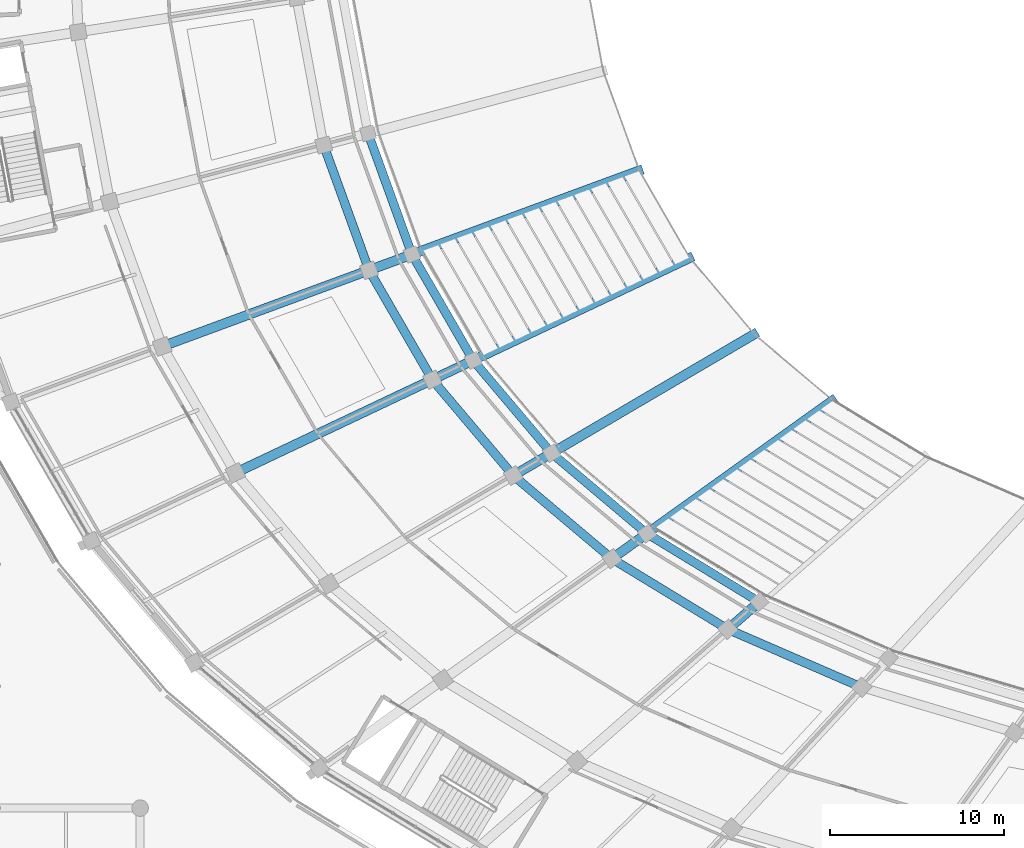
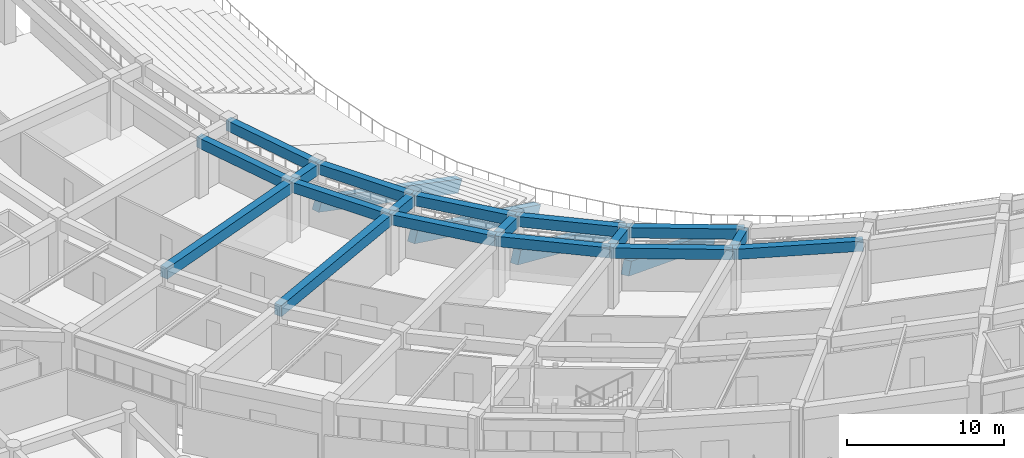
# One storey, part 20 of 152: 22 beams.
"""IFC4 building model written with IfcOpenShell, lengths in metres."""

from ifc_helpers import new_model, si_unit, direction, frame, origin, origin_2d, place, context, subcontext, project, spatial, rectangle, extrude, material, material_profile, profile_set, type_object, element, save


model = new_model("IFC4")

# Units and contexts
model_context = context("Model", 3, precision=1e-05, world=origin(), true_north=direction((0.0, 1.0)))
body_context = subcontext(model_context, "Body", "Model", "MODEL_VIEW")
ifc_project = project(units=[si_unit("LENGTHUNIT", "METRE"), si_unit("AREAUNIT", "SQUARE_METRE"), si_unit("VOLUMEUNIT", "CUBIC_METRE"), si_unit("PLANEANGLEUNIT", "RADIAN"), si_unit("MASSUNIT", "GRAM", prefix="KILO")], contexts=[model_context])

# Site, building, storey
site_placement = place(None, origin())
site = spatial("IfcSite", under=ifc_project, at=site_placement, CompositionType="ELEMENT")
building_placement = place(site_placement, origin())
building = spatial("IfcBuilding", under=site, at=building_placement, Name="Mphavela Belvedere Stadium", CompositionType="ELEMENT")
storey_placement = place(building_placement, frame((0.0, 0.0, 5.39990234375)))
storey = spatial("IfcBuildingStorey", under=building, at=storey_placement, Name="L01", CompositionType="ELEMENT", Elevation=5.39990234375)

# Beams
ifc_material_1 = material(Name="Precast concrete C45/55", Category="concrete")
ifc_material_profile_1 = material_profile(ifc_material_1, rectangle(XDim=0.550048828125, YDim=1.0, at=origin_2d()), Name="PC 550x1000")
ifc_profile_set_1 = profile_set([ifc_material_profile_1], Name="Precast concrete C45/55")
beam_type_1 = type_object("IfcBeamType", Name="BM-RAKER-LOWER", PredefinedType="USERDEFINED", material=ifc_profile_set_1)
beam_1_placement = place(storey_placement, frame((54.236572265625, 64.614501953125, -4.75), z_axis=(-0.861755277164, -0.317474379668, 0.395711840276), x_axis=(0.345691546471, -0.938348205464, 0.0)))
element("IfcBeam", 1, at=beam_1_placement, inside=storey, type_object=beam_type_1, Name="Lower tier precast raker beam RK-L-28", ObjectType="RAKER BEAM", PredefinedType="USERDEFINED", context=body_context, shape_type="SweptSolid", body=[
    extrude(rectangle(XDim=0.550048828125, YDim=1.0, at=origin_2d()), origin(), (0.0, 0.0, 1.0), 15.16259765625),
])
beam_2_placement = place(storey_placement, frame((57.130859375, 59.608642578125, -4.75), z_axis=(-0.828590512448, -0.392202760512, 0.399518156443), x_axis=(0.427830199745, -0.903859126295, 0.0)))
element("IfcBeam", 2, at=beam_2_placement, inside=storey, type_object=beam_type_1, Name="Lower tier precast raker beam RK-L-29", ObjectType="RAKER BEAM", PredefinedType="USERDEFINED", context=body_context, shape_type="SweptSolid", body=[
    extrude(rectangle(XDim=0.550048828125, YDim=1.0, at=origin_2d()), origin(), (0.0, 0.0, 1.0), 15.01806640625),
])
beam_3_placement = place(storey_placement, frame((60.8349609375, 55.22216796875, -4.75), z_axis=(-0.788215016964, -0.462441064912, 0.406036141882), x_axis=(0.506032185793, -0.862514595205, 0.0)))
element("IfcBeam", 3, at=beam_3_placement, inside=storey, type_object=beam_type_1, Name="Lower tier precast raker beam RK-L-30", ObjectType="RAKER BEAM", PredefinedType="USERDEFINED", context=body_context, shape_type="SweptSolid", body=[
    extrude(rectangle(XDim=0.550048828125, YDim=1.0, at=origin_2d()), origin(), (0.0, 0.0, 1.0), 14.777099609375),
])
beam_4_placement = place(storey_placement, frame((65.341064453125, 51.419677734375, -4.75), z_axis=(-0.739407193346, -0.529785363915, 0.415456941944), x_axis=(0.582429509779, -0.812881212809, 0.0)))
element("IfcBeam", 4, at=beam_4_placement, inside=storey, type_object=beam_type_1, Name="Lower tier precast raker beam RK-L-31", ObjectType="RAKER BEAM", PredefinedType="USERDEFINED", context=body_context, shape_type="SweptSolid", body=[
    extrude(rectangle(XDim=0.550048828125, YDim=1.0, at=origin_2d()), origin(), (0.0, 0.0, 1.0), 14.44189453125),
])
ifc_material_2 = material(Name="Concrete C40/50", Category="concrete")
ifc_material_profile_2 = material_profile(ifc_material_2, rectangle(XDim=0.5, YDim=0.800048828125, at=origin_2d()), Name="RC 500x800")
ifc_profile_set_2 = profile_set([ifc_material_profile_2], Name="Concrete C40/50")
beam_type_2 = type_object("IfcBeamType", Name="BM-RC500x800", PredefinedType="BEAM", material=ifc_profile_set_2)
beam_5_placement = place(storey_placement, frame((38.648193359375, 66.75244140625, 4.150146484375), z_axis=(0.341037858277, -0.940049562109, 0.0), x_axis=(0.940049562109, 0.341037858277, 0.0)))
element("IfcBeam", 5, at=beam_5_placement, inside=storey, type_object=beam_type_2, Name="Circumferential girder L01 R1-27", PredefinedType="BEAM", context=body_context, shape_type="SweptSolid", body=[
    extrude(rectangle(XDim=0.5, YDim=0.800048828125, at=origin_2d()), origin(), (0.0, 0.0, 1.0), 7.39501953125),
])
beam_6_placement = place(storey_placement, frame((36.0966796875, 66.07568359375, 4.150146484375), z_axis=(0.341037560831, -0.940049670019, 0.0), x_axis=(0.940049670019, 0.341037560831, 0.0)))
element("IfcBeam", 6, at=beam_6_placement, inside=storey, type_object=beam_type_2, Name="Circumferential girder L01 R2-27", PredefinedType="BEAM", context=body_context, shape_type="SweptSolid", body=[
    extrude(rectangle(XDim=0.5, YDim=0.800048828125, at=origin_2d()), origin(), (0.0, 0.0, 1.0), 7.64208984375),
])
beam_7_placement = place(storey_placement, frame((41.170166015625, 59.80078125, 4.150146484375), z_axis=(0.500559513075, -0.86570212768, 0.0), x_axis=(0.86570212768, 0.500559513075, 0.0)))
element("IfcBeam", 7, at=beam_7_placement, inside=storey, type_object=beam_type_2, Name="Circumferential girder L01 R1-28", PredefinedType="BEAM", context=body_context, shape_type="SweptSolid", body=[
    extrude(rectangle(XDim=0.5, YDim=0.800048828125, at=origin_2d()), origin(), (0.0, 0.0, 1.0), 7.02587890625),
])
beam_8_placement = place(storey_placement, frame((38.702880859375, 58.891845703125, 4.150146484375), z_axis=(0.500568314135, -0.86569703874, 0.0), x_axis=(0.86569703874, 0.500568314135, 0.0)))
element("IfcBeam", 8, at=beam_8_placement, inside=storey, type_object=beam_type_2, Name="Circumferential girder L01 R2-28", PredefinedType="BEAM", context=body_context, shape_type="SweptSolid", body=[
    extrude(rectangle(XDim=0.5, YDim=0.800048828125, at=origin_2d()), origin(), (0.0, 0.0, 1.0), 7.2607421875),
])
beam_9_placement = place(storey_placement, frame((44.68701171875, 53.718505859375, 4.150146484375), z_axis=(0.645159025586, -0.764048317651, 0.0), x_axis=(0.764048317651, 0.645159025586, 0.0)))
element("IfcBeam", 9, at=beam_9_placement, inside=storey, type_object=beam_type_2, Name="Circumferential girder L01 R1-29", PredefinedType="BEAM", context=body_context, shape_type="SweptSolid", body=[
    extrude(rectangle(XDim=0.5, YDim=0.800048828125, at=origin_2d()), origin(), (0.0, 0.0, 1.0), 6.975830078125),
])
beam_10_placement = place(storey_placement, frame((42.33740234375, 52.606201171875, 4.150146484375), z_axis=(0.645167637984, -0.764041045297, 0.0), x_axis=(0.764041045297, 0.645167637984, 0.0)))
element("IfcBeam", 10, at=beam_10_placement, inside=storey, type_object=beam_type_2, Name="Circumferential girder L01 R2-29", PredefinedType="BEAM", context=body_context, shape_type="SweptSolid", body=[
    extrude(rectangle(XDim=0.5, YDim=0.800048828125, at=origin_2d()), origin(), (0.0, 0.0, 1.0), 7.208740234375),
])
beam_11_placement = place(storey_placement, frame((49.1875, 48.388671875, 4.150146484375), z_axis=(0.76425683958, -0.644911996442, 0.0), x_axis=(0.644911996442, 0.76425683958, 0.0)))
element("IfcBeam", 11, at=beam_11_placement, inside=storey, type_object=beam_type_2, Name="Circumferential girder L01 R1-30", PredefinedType="BEAM", context=body_context, shape_type="SweptSolid", body=[
    extrude(rectangle(XDim=0.5, YDim=0.800048828125, at=origin_2d()), origin(), (0.0, 0.0, 1.0), 7.1640625),
])
beam_12_placement = place(storey_placement, frame((46.98828125, 47.098388671875, 4.150146484375), z_axis=(0.764257451296, -0.644911271523, 0.0), x_axis=(0.644911271523, 0.764257451296, 0.0)))
element("IfcBeam", 12, at=beam_12_placement, inside=storey, type_object=beam_type_2, Name="Circumferential girder L01 R2-30", PredefinedType="BEAM", context=body_context, shape_type="SweptSolid", body=[
    extrude(rectangle(XDim=0.5, YDim=0.800048828125, at=origin_2d()), origin(), (0.0, 0.0, 1.0), 7.4033203125),
])
beam_13_placement = place(storey_placement, frame((54.66259765625, 43.7685546875, 4.150146484375), z_axis=(0.854325951403, -0.51973759606, 0.0), x_axis=(0.51973759606, 0.854325951403, 0.0)))
element("IfcBeam", 13, at=beam_13_placement, inside=storey, type_object=beam_type_2, Name="Circumferential girder L01 R1-31", PredefinedType="BEAM", context=body_context, shape_type="SweptSolid", body=[
    extrude(rectangle(XDim=0.5, YDim=0.800048828125, at=origin_2d()), origin(), (0.0, 0.0, 1.0), 7.5478515625),
])
beam_14_placement = place(storey_placement, frame((52.646240234375, 42.323974609375, 4.150146484375), z_axis=(0.854328477138, -0.519733444326, 0.0), x_axis=(0.519733444326, 0.854328477138, 0.0)))
element("IfcBeam", 14, at=beam_14_placement, inside=storey, type_object=beam_type_2, Name="Circumferential girder L01 R2-31", PredefinedType="BEAM", context=body_context, shape_type="SweptSolid", body=[
    extrude(rectangle(XDim=0.5, YDim=0.800048828125, at=origin_2d()), origin(), (0.0, 0.0, 1.0), 7.800048828125),
])
beam_15_placement = place(storey_placement, frame((59.31005859375, 38.27001953125, 4.150146484375), z_axis=(0.917495728928, -0.397745631526, 0.0), x_axis=(0.397745631526, 0.917495728928, 0.0)))
element("IfcBeam", 15, at=beam_15_placement, inside=storey, type_object=beam_type_2, Name="Circumferential girder L01 R2-32", PredefinedType="BEAM", context=body_context, shape_type="SweptSolid", body=[
    extrude(rectangle(XDim=0.5, YDim=0.800048828125, at=origin_2d()), origin(), (0.0, 0.0, 1.0), 8.37841796875),
])
ifc_material_3 = material(Name="Concrete C40/50", Category="concrete")
ifc_material_profile_3 = material_profile(ifc_material_3, rectangle(XDim=0.550048828125, YDim=0.85009765625, at=origin_2d()), Name="RC 550x850")
ifc_profile_set_3 = profile_set([ifc_material_profile_3], Name="Concrete C40/50")
beam_type_3 = type_object("IfcBeamType", Name="BM-RC550x850", PredefinedType="BEAM", material=ifc_profile_set_3)
beam_16_placement = place(storey_placement, frame((41.170166015625, 59.80078125, 4.125), z_axis=(-0.938351042866, -0.345683844507, 0.0), x_axis=(0.345683844507, -0.938351042866, 0.0)))
element("IfcBeam", 16, at=beam_16_placement, inside=storey, type_object=beam_type_3, Name="Radial concourse girder L01 R1R2-28", PredefinedType="BEAM", context=body_context, shape_type="SweptSolid", body=[
    extrude(rectangle(XDim=0.550048828125, YDim=0.85009765625, at=origin_2d()), origin(), (0.0, 0.0, 1.0), 2.62939453125),
])
beam_17_placement = place(storey_placement, frame((38.702880859375, 58.891845703125, 4.125), z_axis=(-0.938344104636, -0.345702677593, 0.0), x_axis=(0.345702677593, -0.938344104636, 0.0)))
element("IfcBeam", 17, at=beam_17_placement, inside=storey, type_object=beam_type_3, Name="Radial concourse girder L01 R2R3-28", PredefinedType="BEAM", context=body_context, shape_type="SweptSolid", body=[
    extrude(rectangle(XDim=0.550048828125, YDim=0.85009765625, at=origin_2d()), origin(), (0.0, 0.0, 1.0), 12.658935546875),
])
beam_18_placement = place(storey_placement, frame((44.68701171875, 53.718505859375, 4.125), z_axis=(-0.903837253846, -0.427876405707, 0.0), x_axis=(0.427876405707, -0.903837253846, 0.0)))
element("IfcBeam", 18, at=beam_18_placement, inside=storey, type_object=beam_type_3, Name="Radial concourse girder L01 R1R2-29", PredefinedType="BEAM", context=body_context, shape_type="SweptSolid", body=[
    extrude(rectangle(XDim=0.550048828125, YDim=0.85009765625, at=origin_2d()), origin(), (0.0, 0.0, 1.0), 2.599609375),
])
beam_19_placement = place(storey_placement, frame((42.33740234375, 52.606201171875, 4.125), z_axis=(-0.903870454162, -0.427806267009, 0.0), x_axis=(0.427806267009, -0.903870454162, 0.0)))
element("IfcBeam", 19, at=beam_19_placement, inside=storey, type_object=beam_type_3, Name="Radial concourse girder L01 R2R3-29", PredefinedType="BEAM", context=body_context, shape_type="SweptSolid", body=[
    extrude(rectangle(XDim=0.550048828125, YDim=0.85009765625, at=origin_2d()), origin(), (0.0, 0.0, 1.0), 12.51611328125),
])
beam_20_placement = place(storey_placement, frame((49.1875, 48.388671875, 4.125), z_axis=(-0.862512089915, -0.50603645595, 0.0), x_axis=(0.50603645595, -0.862512089915, 0.0)))
element("IfcBeam", 20, at=beam_20_placement, inside=storey, type_object=beam_type_3, Name="Radial concourse girder L01 R1R2-30", PredefinedType="BEAM", context=body_context, shape_type="SweptSolid", body=[
    extrude(rectangle(XDim=0.550048828125, YDim=0.85009765625, at=origin_2d()), origin(), (0.0, 0.0, 1.0), 2.5498046875),
])
beam_21_placement = place(storey_placement, frame((54.66259765625, 43.7685546875, 4.125), z_axis=(-0.81290799415, -0.582392129966, 0.0), x_axis=(0.582392129966, -0.81290799415, 0.0)))
element("IfcBeam", 21, at=beam_21_placement, inside=storey, type_object=beam_type_3, Name="Radial concourse girder L01 R1R2-31", PredefinedType="BEAM", context=body_context, shape_type="SweptSolid", body=[
    extrude(rectangle(XDim=0.550048828125, YDim=0.85009765625, at=origin_2d()), origin(), (0.0, 0.0, 1.0), 2.48046875),
])
beam_22_placement = place(storey_placement, frame((61.11083984375, 39.845703125, 4.125), z_axis=(-0.752576694707, -0.658504607869, 0.0), x_axis=(0.658504607869, -0.752576694707, 0.0)))
element("IfcBeam", 22, at=beam_22_placement, inside=storey, type_object=beam_type_3, Name="Radial concourse girder L01 R1R2-32", PredefinedType="BEAM", context=body_context, shape_type="SweptSolid", body=[
    extrude(rectangle(XDim=0.550048828125, YDim=0.85009765625, at=origin_2d()), origin(), (0.0, 0.0, 1.0), 2.392822265625),
])

save(model, "model.ifc")
